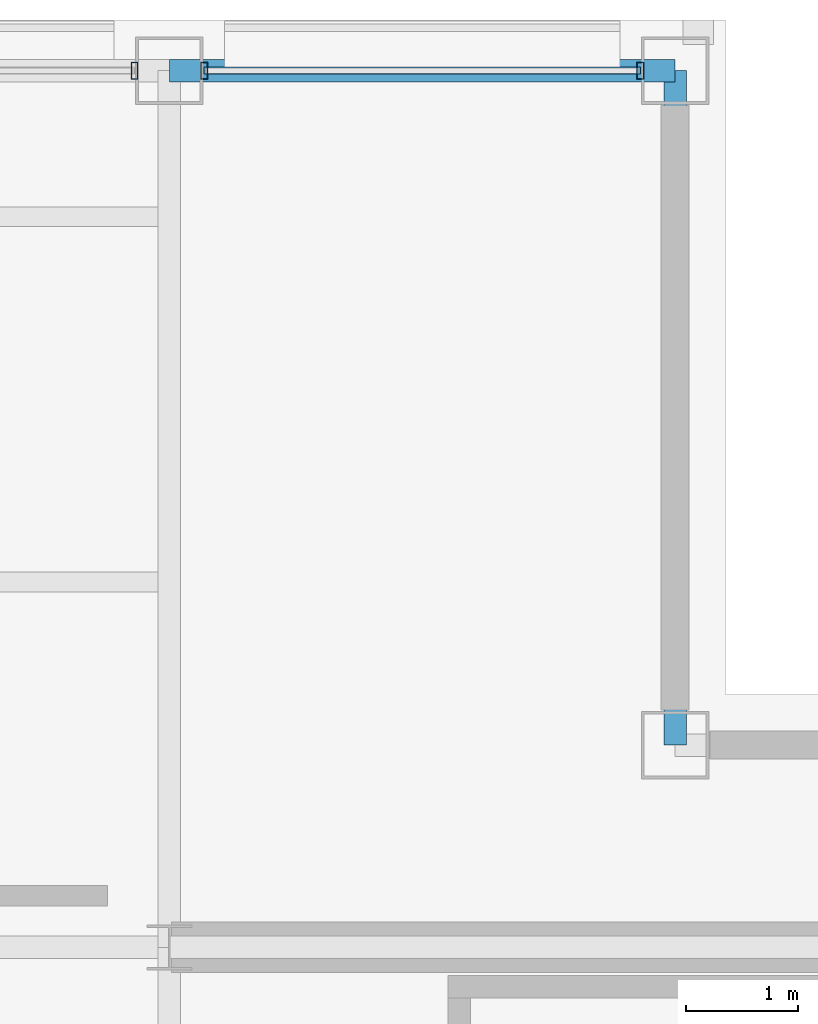
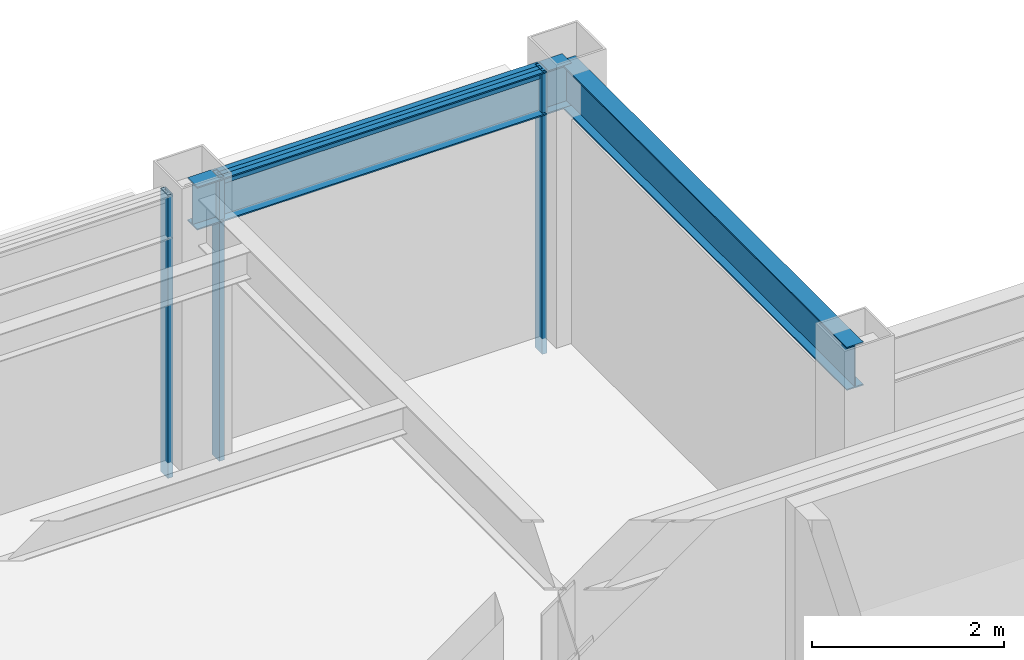
# One storey, part 15 of 20: 4 members, 2 beams, 2 elements without a shape of their own.
"""IFC4 building model written with IfcOpenShell, lengths in metres."""

from ifc_helpers import new_model, si_unit, direction, frame, origin, origin_2d, place, context, subcontext, project, spatial, hollow_rectangle, i_section, extrude, material, layer, layer_set, material_profile, profile_set, type_object, element, aggregate, save


model = new_model("IFC4")

# Units and contexts
model_context = context("Model", 3, precision=1e-05, world=origin(), true_north=direction((0.0, 1.0)))
body_context = subcontext(model_context, "Body", "Model", "MODEL_VIEW")
ifc_project = project(units=[si_unit("LENGTHUNIT", "METRE"), si_unit("AREAUNIT", "SQUARE_METRE"), si_unit("VOLUMEUNIT", "CUBIC_METRE"), si_unit("PLANEANGLEUNIT", "RADIAN"), si_unit("MASSUNIT", "GRAM", prefix="KILO")], contexts=[model_context])

# Site, building, storey
site_placement = place(None, origin())
site = spatial("IfcSite", under=ifc_project, at=site_placement, CompositionType="ELEMENT")
building_placement = place(site_placement, origin())
building = spatial("IfcBuilding", under=site, at=building_placement, Name="Brelmoor Portico Tower", CompositionType="ELEMENT")
storey_placement = place(building_placement, frame((0.0, 0.0, 272.39990234375)))
storey = spatial("IfcBuildingStorey", under=building, at=storey_placement, Name="L72", CompositionType="ELEMENT", Elevation=272.39990234375)

# Beams
ifc_material_1 = material(Name="Steel Q355B", Category="steel")
ifc_material_profile_1 = material_profile(ifc_material_1, i_section(OverallWidth=0.199951171875, OverallDepth=0.550048828125, WebThickness=0.010009765625, FlangeThickness=0.01611328125, at=origin_2d()), Name="HN 550x200x10x16")
ifc_profile_set_1 = profile_set([ifc_material_profile_1], Name="Steel Q355B")
beam_type = type_object("IfcBeamType", Name="BM-SP-550", PredefinedType="SPANDREL", material=ifc_profile_set_1)
beam_1_placement = place(storey_placement, frame((8.050048828125, 17.550048828125, 3.125), z_axis=(1.0, 0.0, 0.0), x_axis=(0.0, 1.0, 0.0)))
element("IfcBeam", 1, at=beam_1_placement, inside=storey, type_object=beam_type, Name="L72 Perimeter Spandrel Beam SP-10", PredefinedType="SPANDREL", context=body_context, shape_type="SweptSolid", body=[
    extrude(i_section(OverallWidth=0.199951171875, OverallDepth=0.550048828125, WebThickness=0.010009765625, FlangeThickness=0.01611328125, at=origin_2d()), origin(), (0.0, 0.0, 1.0), 4.5),
])
beam_2_placement = place(storey_placement, frame((12.550048828125, 11.550048828125, 3.125), z_axis=(0.0, 1.0, 0.0), x_axis=(-1.0, 0.0, 0.0)))
element("IfcBeam", 2, at=beam_2_placement, inside=storey, type_object=beam_type, Name="L72 Perimeter Spandrel Beam SP-17", PredefinedType="SPANDREL", context=body_context, shape_type="SweptSolid", body=[
    extrude(i_section(OverallWidth=0.199951171875, OverallDepth=0.550048828125, WebThickness=0.010009765625, FlangeThickness=0.01611328125, at=origin_2d()), origin(), (0.0, 0.0, 1.0), 6.0),
])

# Curtain wall, member
ifc_material_2 = material(Name="Anodised Aluminium Alloy 6063-T6", Category="aluminium")
ifc_layer = layer(ifc_material_2, 0.179931640625)
ifc_layer_set = layer_set([ifc_layer], Name="Anodised Aluminium Alloy 6063-T6")
curtain_wall_type = type_object("IfcCurtainWallType", Name="CW-TOWER-Z4-XB", PredefinedType="NOTDEFINED", material=ifc_layer_set)
curtain_wall_1_placement = place(storey_placement, origin())
curtain_wall_1 = element("IfcCurtainWall", 3, at=curtain_wall_1_placement, inside=storey, type_object=curtain_wall_type, Name="L72 Curtain Wall CW-L72-02-2", PredefinedType="NOTDEFINED")
ifc_material_profile_2 = material_profile(ifc_material_2, hollow_rectangle(XDim=0.06005859375, YDim=0.14990234375, WallThickness=0.00390625, at=origin_2d()), Name="ALU MULLION 60x150")
ifc_profile_set_2 = profile_set([ifc_material_profile_2], Name="Anodised Aluminium Alloy 6063-T6")
member_type_1 = type_object("IfcMemberType", Name="MB-CW-MULL-150", PredefinedType="MULLION", material=ifc_profile_set_2)
member_1_placement = place(storey_placement, frame((7.739990234375, 17.550048828125, -0.199951171875), z_axis=(0.0, 0.0, 1.0), x_axis=(1.0, 0.0, 0.0)))
member_1 = element("IfcMember", 4, at=member_1_placement, type_object=member_type_1, Name="CW-L72-02-2 Mullion 01", PredefinedType="MULLION", context=body_context, shape_type="SweptSolid", body=[
    extrude(hollow_rectangle(XDim=0.06005859375, YDim=0.14990234375, WallThickness=0.00390625, at=origin_2d()), origin(), (0.0, 0.0, 1.0), 3.60009765625),
])
aggregate(curtain_wall_1, [member_1])

# Curtain wall, members
curtain_wall_2_placement = place(storey_placement, origin())
curtain_wall_2 = element("IfcCurtainWall", 5, at=curtain_wall_2_placement, inside=storey, type_object=curtain_wall_type, Name="L72 Curtain Wall CW-L72-02-3", PredefinedType="NOTDEFINED")
member_2_placement = place(storey_placement, frame((8.360107421875, 17.550048828125, -0.199951171875), z_axis=(0.0, 0.0, 1.0), x_axis=(1.0, 0.0, 0.0)))
member_2 = element("IfcMember", 6, at=member_2_placement, type_object=member_type_1, Name="CW-L72-02-3 Mullion 00", PredefinedType="MULLION", context=body_context, shape_type="SweptSolid", body=[
    extrude(hollow_rectangle(XDim=0.06005859375, YDim=0.14990234375, WallThickness=0.00390625, at=origin_2d()), origin(), (0.0, 0.0, 1.0), 3.60009765625),
])
member_3_placement = place(storey_placement, frame((12.239990234375, 17.550048828125, -0.199951171875), z_axis=(0.0, 0.0, 1.0), x_axis=(1.0, 0.0, 0.0)))
member_3 = element("IfcMember", 7, at=member_3_placement, type_object=member_type_1, Name="CW-L72-02-3 Mullion 01", PredefinedType="MULLION", context=body_context, shape_type="SweptSolid", body=[
    extrude(hollow_rectangle(XDim=0.06005859375, YDim=0.14990234375, WallThickness=0.00390625, at=origin_2d()), origin(), (0.0, 0.0, 1.0), 3.60009765625),
])
ifc_material_profile_3 = material_profile(ifc_material_2, hollow_rectangle(XDim=0.06005859375, YDim=0.125, WallThickness=0.00341796875, at=origin_2d()), Name="ALU TRANSOM 60x125")
ifc_profile_set_3 = profile_set([ifc_material_profile_3], Name="Anodised Aluminium Alloy 6063-T6")
member_type_2 = type_object("IfcMemberType", Name="MB-CW-TRAN-125", PredefinedType="USERDEFINED", material=ifc_profile_set_3)
member_4_placement = place(storey_placement, frame((8.360107421875, 17.550048828125, 3.337646484375), z_axis=(1.0, 0.0, 0.0), x_axis=(0.0, 1.0, 0.0)))
member_4 = element("IfcMember", 8, at=member_4_placement, type_object=member_type_2, Name="CW-L72-02-3 Transom 1-00", ObjectType="TRANSOM", PredefinedType="USERDEFINED", context=body_context, shape_type="SweptSolid", body=[
    extrude(hollow_rectangle(XDim=0.06005859375, YDim=0.125, WallThickness=0.00341796875, at=origin_2d()), origin(), (0.0, 0.0, 1.0), 3.8798828125),
])
aggregate(curtain_wall_2, [member_2, member_3, member_4])

save(model, "model.ifc")
